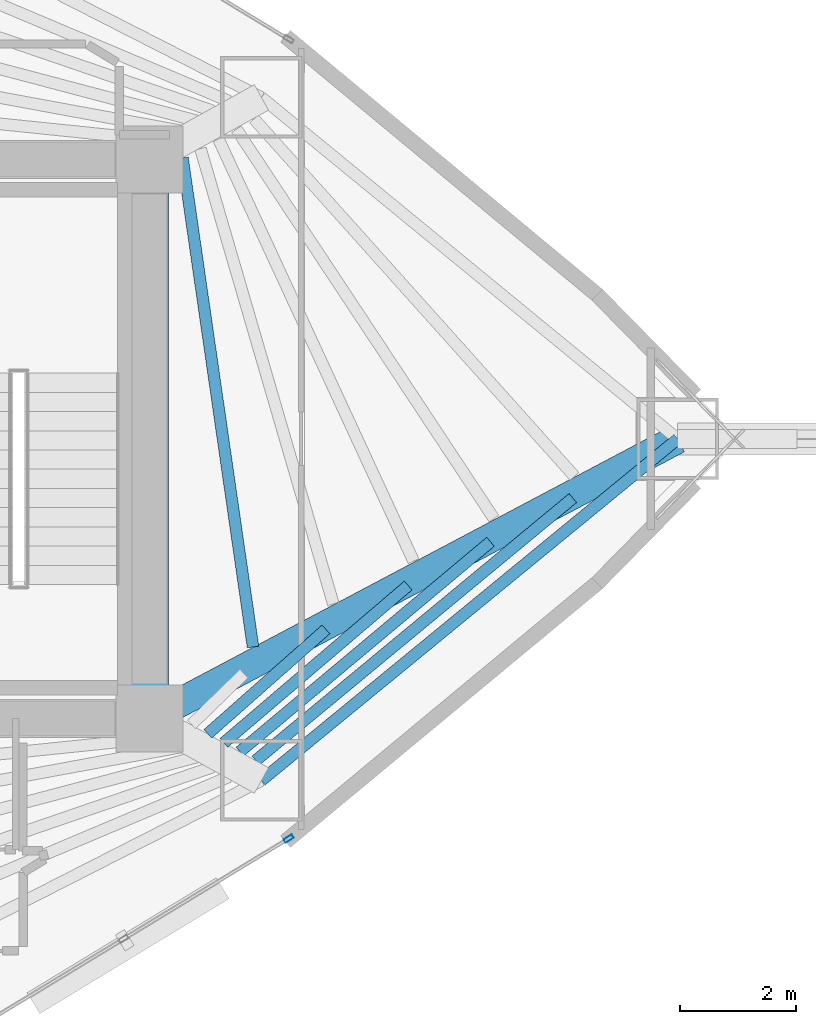
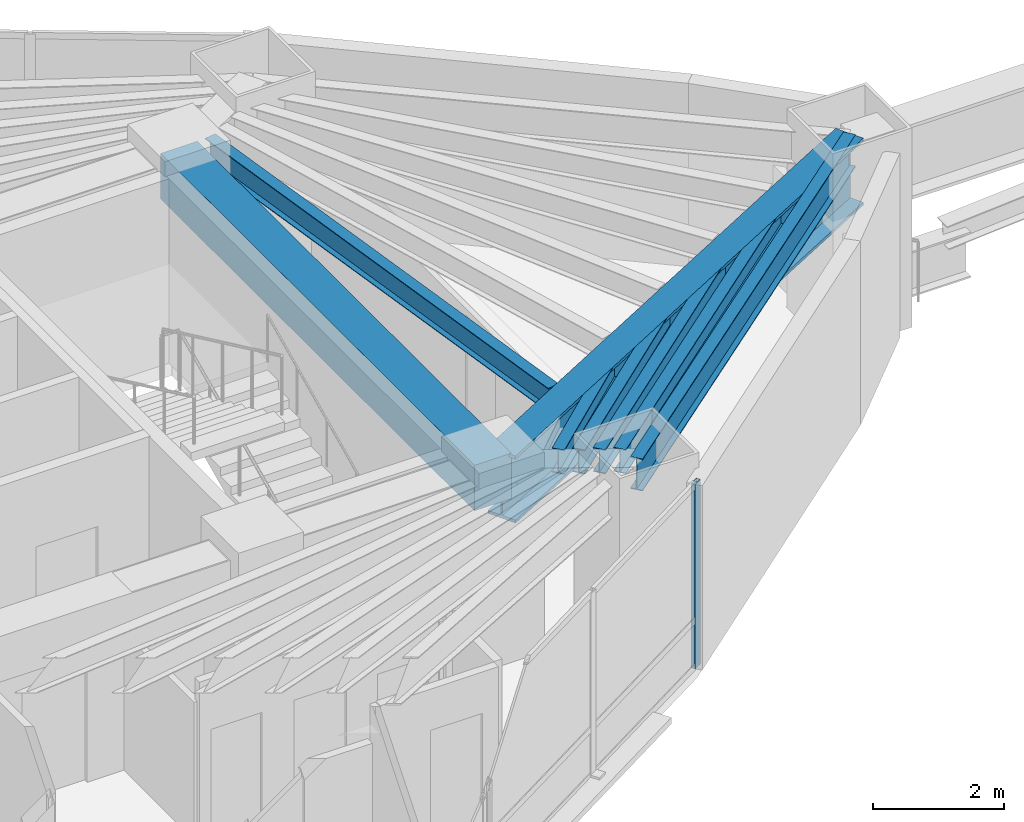
# One storey, part 6 of 18: 8 beams, 1 member, 1 element without a shape of its own.
"""IFC4 building model written with IfcOpenShell, lengths in metres."""

import ifcopenshell
import ifcopenshell.guid

model = None  # the IFC model being written
_history = None  # IfcOwnerHistory: only IFC2X3 demands one
_inside = {}  # id of a spatial element -> (the spatial element, [elements in it])
_under = {}  # id of a project, library or spatial element -> (it, [spatial elements below it])
_declared = {}  # id of a project -> (the project, [libraries it declares])
_typed = {}  # id of a type object -> (the type object, [elements of that type])
_made_of = {}  # id of a material, layer set ... -> (it, [elements and type objects made of it])


def new_model(schema):
    """Start an empty IFC model of exactly this schema.

    Asked for "IFC4X3", IfcOpenShell would pick the latest addendum, in which some entities
    have other attributes; the version numbers below select the first issue.
    IFC2X3 requires an IfcOwnerHistory on every rooted entity: one is made here for all.
    """
    global model, _history
    if schema == "IFC4X3":
        model = ifcopenshell.file(schema_version=(4, 3, 0, 0))
    else:
        model = ifcopenshell.file(schema=schema)
    _inside.clear()
    _under.clear()
    _declared.clear()
    _typed.clear()
    _made_of.clear()
    _history = None
    if model.schema == "IFC2X3":
        org = make("IfcOrganization", Name="unknown")
        user = make(
            "IfcPersonAndOrganization",
            ThePerson=make("IfcPerson", FamilyName="unknown"),
            TheOrganization=org,
        )
        app = make(
            "IfcApplication",
            ApplicationDeveloper=org,
            Version="unknown",
            ApplicationFullName="unknown",
            ApplicationIdentifier="unknown",
        )
        _history = make(
            "IfcOwnerHistory",
            OwningUser=user,
            OwningApplication=app,
            ChangeAction="ADDED",
            CreationDate=0,
        )
    return model


def make(cls, **values):
    """One entity of the class cls with the attributes given. An attribute that is None is left unset."""
    return model.create_entity(
        cls, **{name: value for name, value in values.items() if value is not None}
    )


def rooted(cls, **values):
    """An entity with a GlobalId (a new one), such as an element, a storey or a relation."""
    return make(cls, GlobalId=ifcopenshell.guid.new(), OwnerHistory=_history, **values)


def si_unit(unit_type, name, prefix=None):
    """IfcSIUnit, for example si_unit("LENGTHUNIT", "METRE", prefix="MILLI")."""
    return make("IfcSIUnit", UnitType=unit_type, Prefix=prefix, Name=name)


def assignment(units):
    """IfcUnitAssignment: the units of a project."""
    return None if units is None else make("IfcUnitAssignment", Units=units)


def point(xyz):
    """IfcCartesianPoint."""
    return None if xyz is None else make("IfcCartesianPoint", Coordinates=xyz)


def direction(xyz):
    """IfcDirection."""
    return None if xyz is None else make("IfcDirection", DirectionRatios=xyz)


def frame(location, z_axis=None, x_axis=None):
    """IfcAxis2Placement3D, a coordinate frame: its origin and axes. An axis left out is left unset."""
    return make(
        "IfcAxis2Placement3D",
        Location=point(location),
        Axis=direction(z_axis),
        RefDirection=direction(x_axis),
    )


def frame_2d(location, x_axis=None):
    """IfcAxis2Placement2D, a coordinate frame in the plane: its origin and x axis."""
    return make(
        "IfcAxis2Placement2D", Location=point(location), RefDirection=direction(x_axis)
    )


def origin():
    """The frame at (0, 0, 0) with its axes left unset."""
    return frame((0.0, 0.0, 0.0))


def origin_2d():
    """The frame at (0, 0) in the plane with its x axis left unset."""
    return frame_2d((0.0, 0.0))


def place(relative_to, where):
    """IfcLocalPlacement: puts the frame where relative to a parent placement (None: the world)."""
    return make(
        "IfcLocalPlacement", PlacementRelTo=relative_to, RelativePlacement=where
    )


def context(
    kind, dimensions, precision=None, world=None, true_north=None, identifier=None
):
    """IfcGeometricRepresentationContext, for example the 3D "Model" context."""
    return make(
        "IfcGeometricRepresentationContext",
        ContextIdentifier=identifier,
        ContextType=kind,
        CoordinateSpaceDimension=dimensions,
        Precision=precision,
        WorldCoordinateSystem=world,
        TrueNorth=true_north,
    )


def subcontext(parent, identifier, kind, view, scale=None):
    """IfcGeometricRepresentationSubContext, for example "Body" below "Model"."""
    return make(
        "IfcGeometricRepresentationSubContext",
        ContextIdentifier=identifier,
        ContextType=kind,
        ParentContext=parent,
        TargetScale=scale,
        TargetView=view,
    )


def project(units=None, contexts=None):
    """IfcProject with its units and contexts."""
    return rooted(
        "IfcProject",
        Name="project",
        RepresentationContexts=contexts,
        UnitsInContext=assignment(units),
    )


def spatial(cls, under=None, at=None, **own):
    """A site, building, storey or space (cls), placed at a placement, below another one or the project."""
    s = rooted(cls, ObjectPlacement=at, **own)
    if under is not None:
        _under.setdefault(under.id(), (under, []))[1].append(s)
    return s


def profile(cls, at=None, kind="AREA", **sizes):
    """A parametric profile (cls). Its sizes go by their IFC names, for example OverallWidth=200.0."""
    return make(cls, ProfileType=kind, Position=at, **sizes)


def rectangle(**sizes):
    """IfcRectangleProfileDef."""
    return profile("IfcRectangleProfileDef", **sizes)


def hollow_rectangle(**sizes):
    """IfcRectangleHollowProfileDef."""
    return profile("IfcRectangleHollowProfileDef", **sizes)


def i_section(**sizes):
    """IfcIShapeProfileDef."""
    return profile("IfcIShapeProfileDef", **sizes)


def extrude(swept, where, along, depth):
    """IfcExtrudedAreaSolid: the profile swept, set in the frame where, extruded along a direction by depth."""
    return make(
        "IfcExtrudedAreaSolid",
        SweptArea=swept,
        Position=where,
        ExtrudedDirection=direction(along),
        Depth=depth,
    )


def shape(context_of_items, identifier, shape_type, items):
    """IfcShapeRepresentation: the items that make up one representation, for example the "Body"."""
    return make(
        "IfcShapeRepresentation",
        ContextOfItems=context_of_items,
        RepresentationIdentifier=identifier,
        RepresentationType=shape_type,
        Items=items,
    )


def material(Name=None, Category=None):
    """IfcMaterial."""
    return make("IfcMaterial", Name=Name, Category=Category)


def layer(
    of_material, thickness, ventilated=None, Name=None, Category=None, Priority=None
):
    """IfcMaterialLayer: one layer of a wall or slab, of a material (None: an air gap)."""
    return make(
        "IfcMaterialLayer",
        Material=of_material,
        LayerThickness=thickness,
        IsVentilated=ventilated,
        Name=Name,
        Category=Category,
        Priority=Priority,
    )


def layer_set(layers, Name=None):
    """IfcMaterialLayerSet."""
    return make("IfcMaterialLayerSet", MaterialLayers=layers, LayerSetName=Name)


def material_profile(
    of_material, cross_section, Name=None, Category=None, Priority=None
):
    """IfcMaterialProfile: a cross section and its material."""
    return make(
        "IfcMaterialProfile",
        Name=Name,
        Material=of_material,
        Profile=cross_section,
        Priority=Priority,
        Category=Category,
    )


def profile_set(profiles, Name=None, composite=None):
    """IfcMaterialProfileSet."""
    return make(
        "IfcMaterialProfileSet",
        Name=Name,
        MaterialProfiles=profiles,
        CompositeProfile=composite,
    )


def made_of(thing, what):
    """Note that an element or type object is made of a material, layer set ...; save() writes the relation."""
    if what is not None:
        _made_of.setdefault(what.id(), (what, []))[1].append(thing)
    return thing


def type_object(cls, material=None, **own):
    """A type object (cls), such as IfcWallType, which elements share."""
    return made_of(rooted(cls, **own), material)


def element(
    cls,
    number,
    at=None,
    inside=None,
    cuts=None,
    type_object=None,
    material=None,
    context=None,
    identifier="Body",
    shape_type=None,
    held_by="IfcProductDefinitionShape",
    body=None,
    shapes=None,
    **own,
):
    """One element of the class cls, such as IfcWall. Its Tag is "e" and its number.

    at: its placement. inside: the storey or other place that contains it. cuts: it is an
    opening in that element (IfcRelVoidsElement). A single representation is given by context,
    identifier, shape_type and body (its items); several are given by shapes. held_by: the class
    of the entity that holds the representations. save() writes the other relations.
    """
    e = rooted(cls, Tag="e%d" % number, ObjectPlacement=at, **own)
    if body is not None:
        shapes = [shape(context, identifier, shape_type, body)]
    if shapes is not None:
        e.Representation = make(held_by, Representations=shapes)
    if inside is not None:
        _inside.setdefault(inside.id(), (inside, []))[1].append(e)
    if cuts is not None:
        rooted(
            "IfcRelVoidsElement", RelatingBuildingElement=cuts, RelatedOpeningElement=e
        )
    if type_object is not None:
        _typed.setdefault(type_object.id(), (type_object, []))[1].append(e)
    return made_of(e, material)


def aggregate(whole, parts):
    """IfcRelAggregates: a whole, such as a stair, and the parts it consists of."""
    return rooted("IfcRelAggregates", RelatingObject=whole, RelatedObjects=parts)


def save(model, path):
    """Write the relations noted so far, then the file.

    IfcRelAggregates (storeys below a building ...), IfcRelContainedInSpatialStructure (elements
    in a storey), IfcRelDefinesByType, IfcRelAssociatesMaterial and IfcRelDeclares: one each for
    every whole, place, type object, material and project.
    """
    for whole, parts in _under.values():
        aggregate(whole, parts)
    for where, things in _inside.values():
        rooted(
            "IfcRelContainedInSpatialStructure",
            RelatedElements=things,
            RelatingStructure=where,
        )
    for kind, things in _typed.values():
        rooted("IfcRelDefinesByType", RelatedObjects=things, RelatingType=kind)
    for what, things in _made_of.values():
        rooted("IfcRelAssociatesMaterial", RelatedObjects=things, RelatingMaterial=what)
    for by, libraries in _declared.values():
        rooted("IfcRelDeclares", RelatingContext=by, RelatedDefinitions=libraries)
    model.write(path)


model = new_model("IFC4")

# Units and contexts
model_context = context("Model", 3, precision=1e-05, world=origin(), true_north=direction((0.0, 1.0)))
body_context = subcontext(model_context, "Body", "Model", "MODEL_VIEW")
ifc_project = project(units=[si_unit("LENGTHUNIT", "METRE"), si_unit("AREAUNIT", "SQUARE_METRE"), si_unit("VOLUMEUNIT", "CUBIC_METRE"), si_unit("PLANEANGLEUNIT", "RADIAN"), si_unit("MASSUNIT", "GRAM", prefix="KILO")], contexts=[model_context])

# Site, building, storey
site_placement = place(None, origin())
site = spatial("IfcSite", under=ifc_project, at=site_placement, CompositionType="ELEMENT")
building_placement = place(site_placement, origin())
building = spatial("IfcBuilding", under=site, at=building_placement, Name="Menara Vayukalpa", CompositionType="ELEMENT")
storey_placement = place(building_placement, frame((0.0, 0.0, 53.639892578125)))
storey = spatial("IfcBuildingStorey", under=building, at=storey_placement, Name="L12", CompositionType="ELEMENT", Elevation=53.639892578125)

# Beams
ifc_material_1 = material(Name="Concrete C60/75", Category="concrete")
ifc_material_profile_1 = material_profile(ifc_material_1, rectangle(XDim=0.64990234375, YDim=0.85009765625, at=origin_2d()), Name="RC 650x850")
ifc_profile_set_1 = profile_set([ifc_material_profile_1], Name="Concrete C60/75")
beam_type_1 = type_object("IfcBeamType", Name="BM-CB1", PredefinedType="BEAM", material=ifc_profile_set_1)
beam_1_placement = place(storey_placement, frame((33.39990234375, 17.199951171875, 3.01513671875), z_axis=(0.0, 1.0, 0.0), x_axis=(-1.0, 0.0, 0.0)))
element("IfcBeam", 1, at=beam_1_placement, inside=storey, type_object=beam_type_1, Name="L12 Core Tie Beam CBR8", PredefinedType="BEAM", context=body_context, shape_type="SweptSolid", body=[
    extrude(rectangle(XDim=0.64990234375, YDim=0.85009765625, at=origin_2d()), origin(), (0.0, 0.0, 1.0), 9.60009765625),
])
ifc_material_2 = material(Name="Steel S355", Category="steel")
ifc_material_profile_2 = material_profile(ifc_material_2, i_section(OverallWidth=0.199951171875, OverallDepth=0.449951171875, WebThickness=0.009033203125, FlangeThickness=0.013916015625, at=origin_2d()), Name="WF 450x200x9x14")
ifc_profile_set_2 = profile_set([ifc_material_profile_2], Name="Steel S355")
beam_type_2 = type_object("IfcBeamType", Name="BM-SJ1", PredefinedType="JOIST", material=ifc_profile_set_2)
beam_2_placement = place(storey_placement, frame((35.17431640625, 18.42724609375, 3.215087890625), z_axis=(-0.142775010838, 0.989755169868, 0.0), x_axis=(-0.989755169868, -0.142775010838, 0.0)))
element("IfcBeam", 2, at=beam_2_placement, inside=storey, type_object=beam_type_2, Name="L12 Secondary Floor Joist SJ01-1", PredefinedType="JOIST", context=body_context, shape_type="SweptSolid", body=[
    extrude(i_section(OverallWidth=0.199951171875, OverallDepth=0.449951171875, WebThickness=0.009033203125, FlangeThickness=0.013916015625, at=origin_2d()), origin(), (0.0, 0.0, 1.0), 8.483154296875),
])
beam_3_placement = place(storey_placement, frame((34.398681640625, 16.9375, 3.215087890625), z_axis=(0.749044780137, 0.662519371301, 0.0), x_axis=(-0.662519371301, 0.749044780137, 0.0)))
element("IfcBeam", 3, at=beam_3_placement, inside=storey, type_object=beam_type_2, Name="L12 Secondary Floor Joist SJ09-2", PredefinedType="JOIST", context=body_context, shape_type="SweptSolid", body=[
    extrude(i_section(OverallWidth=0.199951171875, OverallDepth=0.449951171875, WebThickness=0.009033203125, FlangeThickness=0.013916015625, at=origin_2d()), origin(), (0.0, 0.0, 1.0), 2.705810546875),
])
beam_4_placement = place(storey_placement, frame((34.673583984375, 16.783203125, 3.215087890625), z_axis=(0.760667709008, 0.649141461064, 0.0), x_axis=(-0.649141461064, 0.760667709008, 0.0)))
element("IfcBeam", 4, at=beam_4_placement, inside=storey, type_object=beam_type_2, Name="L12 Secondary Floor Joist SJ09-3", PredefinedType="JOIST", context=body_context, shape_type="SweptSolid", body=[
    extrude(i_section(OverallWidth=0.199951171875, OverallDepth=0.449951171875, WebThickness=0.009033203125, FlangeThickness=0.013916015625, at=origin_2d()), origin(), (0.0, 0.0, 1.0), 4.1591796875),
])
beam_5_placement = place(storey_placement, frame((34.947265625, 16.63037109375, 3.215087890625), z_axis=(0.766679008047, 0.642030605672, 0.0), x_axis=(-0.642030605672, 0.766679008047, 0.0)))
element("IfcBeam", 5, at=beam_5_placement, inside=storey, type_object=beam_type_2, Name="L12 Secondary Floor Joist SJ09-4", PredefinedType="JOIST", context=body_context, shape_type="SweptSolid", body=[
    extrude(i_section(OverallWidth=0.199951171875, OverallDepth=0.449951171875, WebThickness=0.009033203125, FlangeThickness=0.013916015625, at=origin_2d()), origin(), (0.0, 0.0, 1.0), 5.613525390625),
])
beam_6_placement = place(storey_placement, frame((35.22021484375, 16.478515625, 3.215087890625), z_axis=(0.770360385726, 0.637608717086, 0.0), x_axis=(-0.637608717086, 0.770360385726, 0.0)))
element("IfcBeam", 6, at=beam_6_placement, inside=storey, type_object=beam_type_2, Name="L12 Secondary Floor Joist SJ09-5", PredefinedType="JOIST", context=body_context, shape_type="SweptSolid", body=[
    extrude(i_section(OverallWidth=0.199951171875, OverallDepth=0.449951171875, WebThickness=0.009033203125, FlangeThickness=0.013916015625, at=origin_2d()), origin(), (0.0, 0.0, 1.0), 7.067626953125),
])
ifc_material_3 = material(Name="Steel S355", Category="steel")
ifc_material_profile_3 = material_profile(ifc_material_3, i_section(OverallWidth=0.199951171875, OverallDepth=0.60009765625, WebThickness=0.010986328125, FlangeThickness=0.01708984375, at=origin_2d()), Name="WF 600x200x11x17")
ifc_profile_set_3 = profile_set([ifc_material_profile_3], Name="Steel S355")
beam_type_3 = type_object("IfcBeamType", Name="BM-SP1", PredefinedType="SPANDREL", material=ifc_profile_set_3)
beam_7_placement = place(storey_placement, frame((35.318115234375, 16.13671875, 3.14013671875), z_axis=(0.773110561587, 0.63427128231, 0.0), x_axis=(-0.63427128231, 0.773110561587, 0.0)))
element("IfcBeam", 7, at=beam_7_placement, inside=storey, type_object=beam_type_3, Name="L12 Perimeter Spandrel Beam SP09", PredefinedType="SPANDREL", context=body_context, shape_type="SweptSolid", body=[
    extrude(i_section(OverallWidth=0.199951171875, OverallDepth=0.60009765625, WebThickness=0.010986328125, FlangeThickness=0.01708984375, at=origin_2d()), origin(), (0.0, 0.0, 1.0), 9.244140625),
])
ifc_material_4 = material(Name="Steel S460", Category="steel")
ifc_material_profile_4 = material_profile(ifc_material_4, i_section(OverallWidth=0.5, OverallDepth=1.25, WebThickness=0.028076171875, FlangeThickness=0.054931640625, at=origin_2d()), Name="WG 1250x500x28x55")
ifc_profile_set_4 = profile_set([ifc_material_profile_4], Name="Steel S460")
beam_type_4 = type_object("IfcBeamType", Name="BM-TG2", PredefinedType="BEAM", material=ifc_profile_set_4)
beam_8_placement = place(storey_placement, frame((33.620849609375, 17.31689453125, 2.815185546875), z_axis=(0.883746967157, 0.467965060704, 0.0), x_axis=(-0.467965060704, 0.883746967157, 0.0)))
element("IfcBeam", 8, at=beam_8_placement, inside=storey, type_object=beam_type_4, Name="L12 Primary Radial Girder RG01", PredefinedType="BEAM", context=body_context, shape_type="SweptSolid", body=[
    extrude(i_section(OverallWidth=0.5, OverallDepth=1.25, WebThickness=0.028076171875, FlangeThickness=0.054931640625, at=origin_2d()), origin(), (0.0, 0.0, 1.0), 10.00732421875),
])

# Curtain wall, member
ifc_material_5 = material(Name="Anodised Terracotta Aluminium Alloy 6063-T6", Category="masonry")
ifc_layer = layer(ifc_material_5, 0.1650390625)
ifc_layer_set = layer_set([ifc_layer], Name="Anodised Terracotta Aluminium Alloy 6063-T6")
curtain_wall_type = type_object("IfcCurtainWallType", Name="CW-CW2", PredefinedType="USERDEFINED", material=ifc_layer_set)
curtain_wall_placement = place(storey_placement, origin())
curtain_wall = element("IfcCurtainWall", 9, at=curtain_wall_placement, inside=storey, type_object=curtain_wall_type, Name="L12 Low Rise Terracotta Ribbon Curtain Wall CW2 17", ObjectType="UNITISED", PredefinedType="USERDEFINED")
ifc_material_6 = material(Name="Anodised Terracotta Aluminium Alloy 6063-T6", Category="masonry")
ifc_material_profile_5 = material_profile(ifc_material_6, hollow_rectangle(XDim=0.070068359375, YDim=0.1650390625, WallThickness=0.00390625, at=origin_2d()), Name="ALU 70x165x4")
ifc_profile_set_5 = profile_set([ifc_material_profile_5], Name="Anodised Terracotta Aluminium Alloy 6063-T6")
member_type = type_object("IfcMemberType", Name="CWM-CW2", PredefinedType="MULLION", material=ifc_profile_set_5)
member_placement = place(storey_placement, frame((35.787353515625, 15.138427734375, 0.0), z_axis=(0.0, 0.0, 1.0), x_axis=(-0.519181964377, 0.854663727945, 0.0)))
member = element("IfcMember", 10, at=member_placement, type_object=member_type, Name="CW2 mullion 3", PredefinedType="MULLION", context=body_context, shape_type="SweptSolid", body=[
    extrude(hollow_rectangle(XDim=0.070068359375, YDim=0.1650390625, WallThickness=0.00390625, at=origin_2d()), origin(), (0.0, 0.0, 1.0), 3.440185546875),
])
aggregate(curtain_wall, [member])

save(model, "model.ifc")
